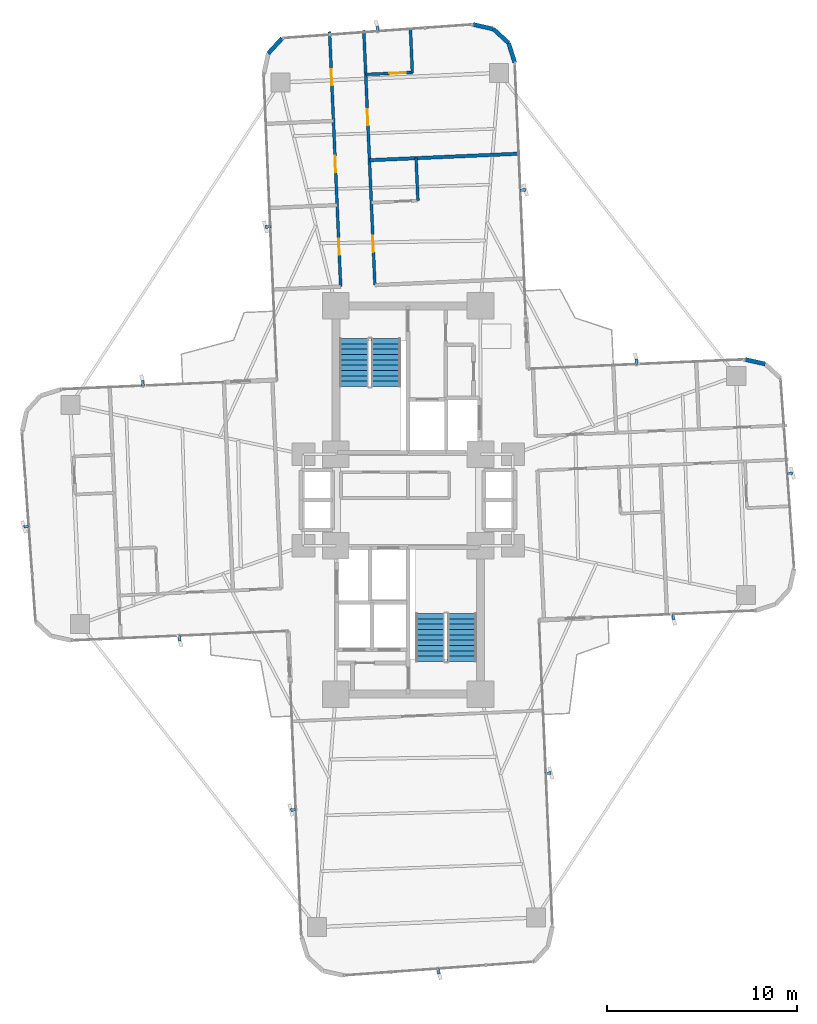
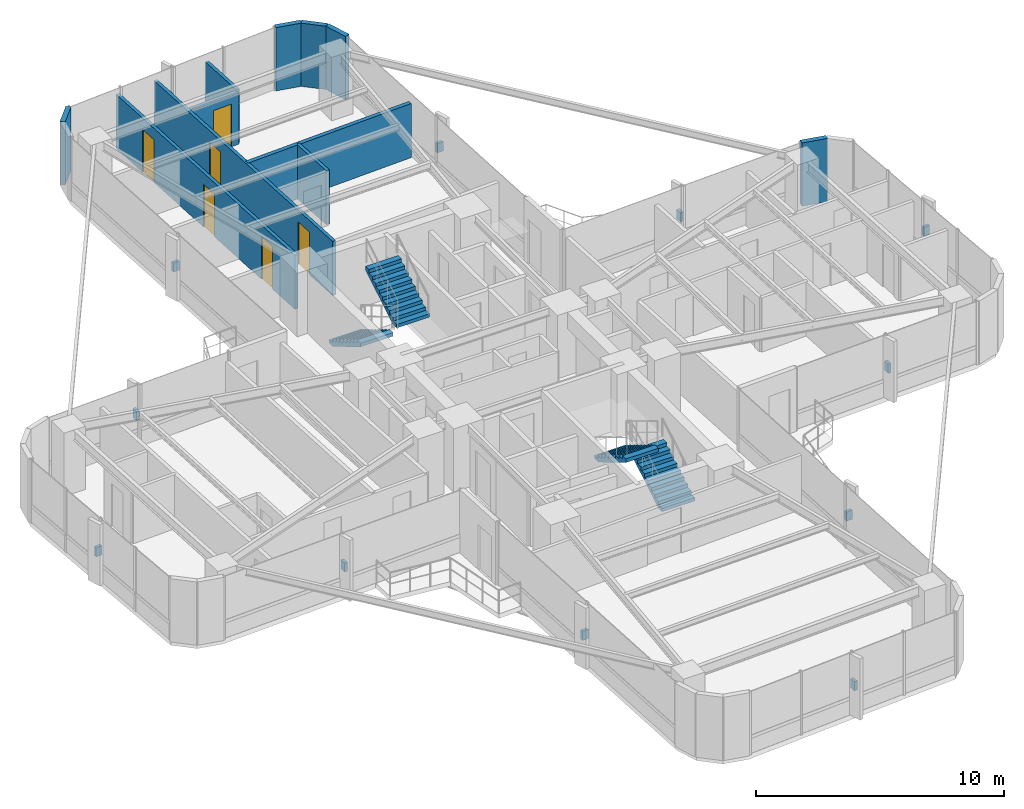
# One storey, part 25 of 26: 12 discrete accessories, 11 walls, 6 doors, 4 stair flights, 6 openings, 2 elements without a shape of their own.
"""IFC4 building model written with IfcOpenShell, lengths in metres."""

from ifc_helpers import new_model, si_unit, direction, frame, frame_2d, origin, origin_2d, place, context, subcontext, project, spatial, polyline, rectangle, outline, extrude, source, transform, mapped, material, layer, layer_set, type_object, element, fill, aggregate, save


model = new_model("IFC4")

# Units and contexts
model_context = context("Model", 3, precision=1e-05, world=origin(), true_north=direction((0.0, 1.0)))
body_context = subcontext(model_context, "Body", "Model", "MODEL_VIEW")
ifc_project = project(units=[si_unit("LENGTHUNIT", "METRE"), si_unit("AREAUNIT", "SQUARE_METRE"), si_unit("VOLUMEUNIT", "CUBIC_METRE"), si_unit("PLANEANGLEUNIT", "RADIAN"), si_unit("MASSUNIT", "GRAM", prefix="KILO")], contexts=[model_context])

# Site, building, storey
site_placement = place(None, origin())
site = spatial("IfcSite", under=ifc_project, at=site_placement, CompositionType="ELEMENT")
building_placement = place(site_placement, origin())
building = spatial("IfcBuilding", under=site, at=building_placement, Name="Sahyath Konkavel Grand Hotel", CompositionType="ELEMENT")
storey_placement = place(building_placement, frame((0.0, 0.0, 83.5)))
storey = spatial("IfcBuildingStorey", under=building, at=storey_placement, Name="L22", CompositionType="ELEMENT", Elevation=83.5)

# Walls
ifc_material_1 = material(Name="Warm Buff Sandstone Insulated Concrete C40/50", Category="masonry")
ifc_layer_1 = layer(ifc_material_1, 0.219970703125)
ifc_layer_set_1 = layer_set([ifc_layer_1], Name="Warm Buff Sandstone Insulated Concrete C40/50")
wall_type_1 = type_object("IfcWallType", Name="WLL-BALC-THRESH", PredefinedType="STANDARD", material=ifc_layer_set_1)
wall_1_placement = place(storey_placement, frame((18.75634765625, 7.1435546875, 0.0), z_axis=(0.0, 0.0, 1.0), x_axis=(-0.976282085775, 0.216502399514, 0.0)))
element("IfcWall", 1, at=wall_1_placement, inside=storey, type_object=wall_type_1, Name="L22 Rounded Corner Sandstone Pier 6", PredefinedType="STANDARD", context=body_context, shape_type="SweptSolid", body=[
    extrude(rectangle(XDim=1.087158203125, YDim=0.219970703125, at=frame_2d((0.54345703125, 0.0))), origin(), (0.0, 0.0, 1.0), 3.110107421875),
])
wall_2_placement = place(storey_placement, frame((5.603515625, 22.96630859375, 0.0), z_axis=(0.0, 0.0, 1.0), x_axis=(-0.300755105707, 0.953701403161, 0.0)))
element("IfcWall", 2, at=wall_2_placement, inside=storey, type_object=wall_type_1, Name="L22 Rounded Corner Sandstone Pier 9", PredefinedType="STANDARD", context=body_context, shape_type="SweptSolid", body=[
    extrude(rectangle(XDim=1.0869140625, YDim=0.219970703125, at=frame_2d((0.54345703125, 0.0))), origin(), (0.0, 0.0, 1.0), 3.110107421875),
])
wall_3_placement = place(storey_placement, frame((5.276611328125, 24.0029296875, 0.0), z_axis=(0.0, 0.0, 1.0), x_axis=(-0.737312600672, 0.675551721847, 0.0)))
element("IfcWall", 3, at=wall_3_placement, inside=storey, type_object=wall_type_1, Name="L22 Rounded Corner Sandstone Pier 10", PredefinedType="STANDARD", context=body_context, shape_type="SweptSolid", body=[
    extrude(rectangle(XDim=1.087158203125, YDim=0.219970703125, at=frame_2d((0.54345703125, 0.0))), origin(), (0.0, 0.0, 1.0), 3.110107421875),
])
for number, where, z_axis, x_axis, name in (
    (4, (4.47509765625, 24.7373046875, 0.0), (0.0, 0.0, 1.0), (-0.976271555154, 0.216549880158, 0.0), "L22 Rounded Corner Sandstone Pier 11"),
    (5, (-6.6142578125, 24.253173828125, 0.0), (0.0, 0.0, 1.0), (-0.675663596772, -0.737210081318, 0.0), "L22 Rounded Corner Sandstone Pier 13"),
):
    element("IfcWall", number, at=place(storey_placement, frame(where, z_axis=z_axis, x_axis=x_axis)), inside=storey, type_object=wall_type_1, Name=name, PredefinedType="STANDARD", context=body_context, shape_type="SweptSolid", body=[
        extrude(rectangle(XDim=1.0869140625, YDim=0.219970703125, at=frame_2d((0.54345703125, 0.0))), origin(), (0.0, 0.0, 1.0), 3.110107421875),
    ])
ifc_material_2 = material(Name="Twin-Stud Acoustic Gypsum Plasterboard Partition")
ifc_layer_2 = layer(ifc_material_2, 0.179931640625)
ifc_layer_set_2 = layer_set([ifc_layer_2], Name="Twin-Stud Acoustic Gypsum Plasterboard Partition")
wall_type_2 = type_object("IfcWallType", Name="WLL-DEMISE-180", PredefinedType="PARTITIONING", material=ifc_layer_set_2)
wall_4_placement = place(storey_placement, frame((-2.0302734375, 17.844482421875, 0.0), z_axis=(0.0, 0.0, 1.0), x_axis=(0.999047634936, 0.043632821702, 0.0)))
element("IfcWall", 6, at=wall_4_placement, inside=storey, type_object=wall_type_2, Name="L22 Partition N-N1R-DEM", PredefinedType="PARTITIONING", context=body_context, shape_type="SweptSolid", body=[
    extrude(rectangle(XDim=7.7998046875, YDim=0.179931640625, at=frame_2d((3.89990234375, 0.0))), origin(), (0.0, 0.0, 1.0), 2.659912109375),
])

# Wall, openings, doors
ifc_material_3 = material(Name="Fire-Rated Gypsum Plasterboard Partition")
ifc_layer_3 = layer(ifc_material_3, 0.14990234375)
ifc_layer_set_3 = layer_set([ifc_layer_3], Name="Fire-Rated Gypsum Plasterboard Partition")
wall_type_3 = type_object("IfcWallType", Name="WLL-PART-150", PredefinedType="PARTITIONING", material=ifc_layer_set_3)
wall_5_placement = place(storey_placement, frame((-3.542236328125, 11.206298828125, 0.0), z_axis=(0.0, 0.0, 1.0), x_axis=(-0.043617493533, 0.999048304267, 0.0)))
wall_5 = element("IfcWall", 7, at=wall_5_placement, inside=storey, type_object=wall_type_3, Name="L22 Partition N-CL", PredefinedType="PARTITIONING", context=body_context, shape_type="SweptSolid", body=[
    extrude(rectangle(XDim=13.39990234375, YDim=0.14990234375, at=frame_2d((6.699951171875, 0.0))), origin(), (0.0, 0.0, 1.0), 2.659912109375),
])
opening_1_placement = place(wall_5_placement, frame((1.6689453125, 0.0, 0.0)))
opening_1 = element("IfcOpeningElement", 8, at=opening_1_placement, cuts=wall_5, Name="Opening D-F06D", PredefinedType="OPENING", context=body_context, shape_type="SweptSolid", body=[
    extrude(rectangle(XDim=0.85009765625, YDim=2.10009765625, at=frame_2d((0.425048828125, 1.050048828125))), frame((0.0, 0.0849609375, 0.0), z_axis=(0.0, -1.0, 0.0), x_axis=(1.0, 0.0, 0.0)), (0.0, 0.0, 1.0), 0.169921875),
])
opening_2_placement = place(wall_5_placement, frame((6.02392578125, 0.0, 0.0)))
opening_2 = element("IfcOpeningElement", 9, at=opening_2_placement, cuts=wall_5, Name="Opening D-F06D", PredefinedType="OPENING", context=body_context, shape_type="SweptSolid", body=[
    extrude(rectangle(XDim=0.85009765625, YDim=2.10009765625, at=frame_2d((0.425048828125, 1.050048828125))), frame((0.0, 0.0849609375, 0.0), z_axis=(0.0, -1.0, 0.0), x_axis=(1.0, 0.0, 0.0)), (0.0, 0.0, 1.0), 0.169921875),
])
opening_3_placement = place(wall_5_placement, frame((10.580078125, 0.0, 0.0)))
opening_3 = element("IfcOpeningElement", 10, at=opening_3_placement, cuts=wall_5, Name="Opening D-F06D", PredefinedType="OPENING", context=body_context, shape_type="SweptSolid", body=[
    extrude(rectangle(XDim=0.85009765625, YDim=2.10009765625, at=frame_2d((0.425048828125, 1.050048828125))), frame((0.0, 0.0849609375, 0.0), z_axis=(0.0, -1.0, 0.0), x_axis=(1.0, 0.0, 0.0)), (0.0, 0.0, 1.0), 0.169921875),
])
ifc_material_4 = material(Name="Fire-Rated Shaft Access Door")
door_type_1 = type_object("IfcDoorType", Name="DR-FD60-850", OperationType="NOTDEFINED", PredefinedType="DOOR", material=ifc_material_4)
shared_shape_1 = source(origin(), body_context, "Body", "SweptSolid", [
    extrude(rectangle(XDim=0.85009765625, YDim=0.050048828125, at=origin_2d()), origin(), (0.0, 0.0, 1.0), 2.10009765625),
])
door_1_placement = place(opening_1_placement, frame((0.425048828125, 0.0, 0.0)))
door_1 = element("IfcDoor", 11, at=door_1_placement, inside=storey, type_object=door_type_1, Name="L22 Door N-N1L-D", OperationType="SINGLE_SWING_LEFT", OverallHeight=2.10009765625, OverallWidth=0.85009765625, PredefinedType="DOOR", context=body_context, shape_type="MappedRepresentation", body=[
    mapped(shared_shape_1, transform((0.0, 0.0, 0.0), scale=1.0)),
])
fill(opening_1, door_1)
door_2_placement = place(opening_2_placement, frame((0.425048828125, 0.0, 0.0)))
door_2 = element("IfcDoor", 12, at=door_2_placement, inside=storey, type_object=door_type_1, Name="L22 Door N-N2L-D", OperationType="SINGLE_SWING_RIGHT", OverallHeight=2.10009765625, OverallWidth=0.85009765625, PredefinedType="DOOR", context=body_context, shape_type="MappedRepresentation", body=[
    mapped(shared_shape_1, transform((0.0, 0.0, 0.0), scale=1.0)),
])
fill(opening_2, door_2)
door_3_placement = place(opening_3_placement, frame((0.425048828125, 0.0, 0.0)))
door_3 = element("IfcDoor", 13, at=door_3_placement, inside=storey, type_object=door_type_1, Name="L22 Door N-N3L-D", OperationType="SINGLE_SWING_LEFT", OverallHeight=2.10009765625, OverallWidth=0.85009765625, PredefinedType="DOOR", context=body_context, shape_type="MappedRepresentation", body=[
    mapped(shared_shape_1, transform((0.0, 0.0, 0.0), scale=1.0)),
])
fill(opening_3, door_3)

wall_6_placement = place(storey_placement, frame((-1.743896484375, 11.28466796875, 0.0), z_axis=(0.0, 0.0, 1.0), x_axis=(-0.043617493533, 0.999048304267, 0.0)))
wall_6 = element("IfcWall", 14, at=wall_6_placement, inside=storey, type_object=wall_type_3, Name="L22 Partition N-CR", PredefinedType="PARTITIONING", context=body_context, shape_type="SweptSolid", body=[
    extrude(rectangle(XDim=13.39990234375, YDim=0.14990234375, at=frame_2d((6.699951171875, 0.0))), origin(), (0.0, 0.0, 1.0), 2.659912109375),
])
opening_4_placement = place(wall_6_placement, frame((1.741943359375, 0.0, 0.0)))
opening_4 = element("IfcOpeningElement", 15, at=opening_4_placement, cuts=wall_6, Name="Opening D-F06D", PredefinedType="OPENING", context=body_context, shape_type="SweptSolid", body=[
    extrude(rectangle(XDim=0.85009765625, YDim=2.10009765625, at=frame_2d((0.425048828125, 1.050048828125))), frame((0.0, 0.0849609375, 0.0), z_axis=(0.0, -1.0, 0.0), x_axis=(1.0, 0.0, 0.0)), (0.0, 0.0, 1.0), 0.169921875),
])
opening_5_placement = place(wall_6_placement, frame((8.39599609375, 0.0, 0.0)))
opening_5 = element("IfcOpeningElement", 16, at=opening_5_placement, cuts=wall_6, Name="Opening D-F06D", PredefinedType="OPENING", context=body_context, shape_type="SweptSolid", body=[
    extrude(rectangle(XDim=0.85009765625, YDim=2.10009765625, at=frame_2d((0.425048828125, 1.050048828125))), frame((0.0, 0.0849609375, 0.0), z_axis=(0.0, -1.0, 0.0), x_axis=(1.0, 0.0, 0.0)), (0.0, 0.0, 1.0), 0.169921875),
])
door_4_placement = place(opening_4_placement, frame((0.425048828125, 0.0, 0.0)))
door_4 = element("IfcDoor", 17, at=door_4_placement, inside=storey, type_object=door_type_1, Name="L22 Door N-N1R-ED", OperationType="SINGLE_SWING_LEFT", OverallHeight=2.10009765625, OverallWidth=0.85009765625, PredefinedType="DOOR", context=body_context, shape_type="MappedRepresentation", body=[
    mapped(shared_shape_1, transform((0.0, 0.0, 0.0), scale=1.0)),
])
fill(opening_4, door_4)
door_5_placement = place(opening_5_placement, frame((0.425048828125, 0.0, 0.0)))
door_5 = element("IfcDoor", 18, at=door_5_placement, inside=storey, type_object=door_type_1, Name="L22 Door N-N2R-ED", OperationType="SINGLE_SWING_LEFT", OverallHeight=2.10009765625, OverallWidth=0.85009765625, PredefinedType="DOOR", context=body_context, shape_type="MappedRepresentation", body=[
    mapped(shared_shape_1, transform((0.0, 0.0, 0.0), scale=1.0)),
])
fill(opening_5, door_5)

# Wall
wall_7_placement = place(storey_placement, frame((0.5146484375, 15.721435546875, 0.0), z_axis=(0.0, 0.0, 1.0), x_axis=(-0.0435321553, 0.999052026401, 0.0)))
element("IfcWall", 19, at=wall_7_placement, inside=storey, type_object=wall_type_3, Name="L22 Partition N-N1R-BF", PredefinedType="PARTITIONING", context=body_context, shape_type="SweptSolid", body=[
    extrude(rectangle(XDim=2.232177734375, YDim=0.14990234375, at=frame_2d((1.1162109375, 0.0))), origin(), (0.0, 0.0, 1.0), 2.659912109375),
])

# Wall, opening, door
wall_8_placement = place(storey_placement, frame((-2.22705078125, 22.35009765625, 0.0), z_axis=(0.0, 0.0, 1.0), x_axis=(0.999047112283, 0.043644787072, 0.0)))
wall_8 = element("IfcWall", 20, at=wall_8_placement, inside=storey, type_object=wall_type_3, Name="L22 Partition N-N2R-BS", PredefinedType="PARTITIONING", context=body_context, shape_type="SweptSolid", body=[
    extrude(rectangle(XDim=2.4501953125, YDim=0.14990234375, at=frame_2d((1.22509765625, 0.0))), origin(), (0.0, 0.0, 1.0), 2.580078125),
])
opening_6_placement = place(wall_8_placement, frame((1.25, 0.0, 0.0)))
opening_6 = element("IfcOpeningElement", 21, at=opening_6_placement, cuts=wall_8, Name="Opening D-BT85", PredefinedType="OPENING", context=body_context, shape_type="SweptSolid", body=[
    extrude(rectangle(XDim=0.85009765625, YDim=2.10009765625, at=frame_2d((0.425048828125, 1.050048828125))), frame((0.0, 0.0849609375, 0.0), z_axis=(0.0, -1.0, 0.0), x_axis=(1.0, 0.0, 0.0)), (0.0, 0.0, 1.0), 0.169921875),
])
ifc_material_5 = material(Name="Moisture-Resistant Teak Bathroom Door")
door_type_2 = type_object("IfcDoorType", Name="DR-BATH-850", OperationType="NOTDEFINED", PredefinedType="DOOR", material=ifc_material_5)
door_6_placement = place(opening_6_placement, frame((0.425048828125, 0.0, 0.0)))
door_6 = element("IfcDoor", 22, at=door_6_placement, inside=storey, type_object=door_type_2, Name="L22 Door N-N2R-BD", OperationType="SINGLE_SWING_RIGHT", OverallHeight=2.10009765625, OverallWidth=0.85009765625, PredefinedType="DOOR", context=body_context, shape_type="MappedRepresentation", body=[
    mapped(shared_shape_1, transform((0.0, 0.0, 0.0), scale=1.0)),
])
fill(opening_6, door_6)

# Wall
wall_9_placement = place(storey_placement, frame((0.220703125, 22.45703125, 0.0), z_axis=(0.0, 0.0, 1.0), x_axis=(-0.043596784584, 0.999049208184, 0.0)))
element("IfcWall", 23, at=wall_9_placement, inside=storey, type_object=wall_type_3, Name="L22 Partition N-N2R-BF", PredefinedType="PARTITIONING", context=body_context, shape_type="SweptSolid", body=[
    extrude(rectangle(XDim=2.323974609375, YDim=0.14990234375, at=frame_2d((1.162109375, 0.0))), origin(), (0.0, 0.0, 1.0), 2.659912109375),
])

# Stair, stair flights
ifc_material_6 = material(Name="Concrete C40/50", Category="concrete")
stair_type = type_object("IfcStairType", Name="STR-ST16-335", PredefinedType="HALF_TURN_STAIR", material=ifc_material_6)
stair_1_placement = place(storey_placement, origin())
stair_1 = element("IfcStair", 24, at=stair_1_placement, inside=storey, type_object=stair_type, Name="L22 North Core Smokeproof Exit Stair ST-1", PredefinedType="HALF_TURN_STAIR")
stair_flight_type = type_object("IfcStairFlightType", Name="STF-ST16-335", PredefinedType="STRAIGHT", material=ifc_material_6)
stair_flight_1_placement = place(storey_placement, frame((-2.840087890625, 8.47998046875, 0.0), z_axis=(0.0, 0.0, 1.0), x_axis=(0.0, -1.0, 0.0)))
stair_flight_1 = element("IfcStairFlight", 25, at=stair_flight_1_placement, type_object=stair_flight_type, Name="ST-1 flight 1", NumberOfRisers=10, NumberOfTreads=9, PredefinedType="STRAIGHT", RiserHeight=0.1675, TreadLength=0.28, context=body_context, shape_type="SweptSolid", body=[
    extrude(outline(polyline([(0.0, 0.0), (0.0, 0.16748046875), (0.280029296875, 0.16748046875), (0.280029296875, 0.3349609375), (0.56005859375, 0.3349609375), (0.56005859375, 0.50244140625), (0.840087890625, 0.50244140625), (0.840087890625, 0.669921875), (1.1201171875, 0.669921875), (1.1201171875, 0.83740234375), (1.39990234375, 0.83740234375), (1.39990234375, 1.0048828125), (1.679931640625, 1.0048828125), (1.679931640625, 1.172607421875), (1.9599609375, 1.172607421875), (1.9599609375, 1.340087890625), (2.239990234375, 1.340087890625), (2.239990234375, 1.507568359375), (2.52001953125, 1.507568359375), (2.52001953125, 1.675048828125), (2.52001953125, 1.332763671875), (0.2919921875, 0.0), (0.0, 0.0)])), frame((0.0, 0.760009765625, 0.0), z_axis=(0.0, -1.0, 0.0), x_axis=(1.0, 0.0, 0.0)), (0.0, 0.0, 1.0), 1.52001953125),
])
stair_flight_2_placement = place(storey_placement, frame((-1.159912109375, 5.9599609375, 1.675048828125), z_axis=(0.0, 0.0, 1.0), x_axis=(0.0, 1.0, 0.0)))
stair_flight_2 = element("IfcStairFlight", 26, at=stair_flight_2_placement, type_object=stair_flight_type, Name="ST-1 flight 2", NumberOfRisers=10, NumberOfTreads=9, PredefinedType="STRAIGHT", RiserHeight=0.1675, TreadLength=0.28, context=body_context, shape_type="SweptSolid", body=[
    extrude(outline(polyline([(0.0, 0.0), (0.0, 0.16748046875), (0.280029296875, 0.16748046875), (0.280029296875, 0.3349609375), (0.56005859375, 0.3349609375), (0.56005859375, 0.50244140625), (0.840087890625, 0.50244140625), (0.840087890625, 0.669921875), (1.1201171875, 0.669921875), (1.1201171875, 0.83740234375), (1.39990234375, 0.83740234375), (1.39990234375, 1.0048828125), (1.679931640625, 1.0048828125), (1.679931640625, 1.172607421875), (1.9599609375, 1.172607421875), (1.9599609375, 1.340087890625), (2.239990234375, 1.340087890625), (2.239990234375, 1.507568359375), (2.52001953125, 1.507568359375), (2.52001953125, 1.675048828125), (2.52001953125, 1.332763671875), (0.2919921875, 0.0), (0.0, 0.0)])), frame((0.0, 0.760009765625, 0.0), z_axis=(0.0, -1.0, 0.0), x_axis=(1.0, 0.0, 0.0)), (0.0, 0.0, 1.0), 1.52001953125),
])
aggregate(stair_1, [stair_flight_1, stair_flight_2])

stair_2_placement = place(storey_placement, origin())
stair_2 = element("IfcStair", 27, at=stair_2_placement, inside=storey, type_object=stair_type, Name="L22 South Core Smokeproof Exit Stair ST-2", PredefinedType="HALF_TURN_STAIR")
stair_flight_3_placement = place(storey_placement, frame((2.840087890625, -8.47998046875, 0.0), z_axis=(0.0, 0.0, 1.0), x_axis=(0.0, 1.0, 0.0)))
stair_flight_3 = element("IfcStairFlight", 28, at=stair_flight_3_placement, type_object=stair_flight_type, Name="ST-2 flight 1", NumberOfRisers=10, NumberOfTreads=9, PredefinedType="STRAIGHT", RiserHeight=0.1675, TreadLength=0.28, context=body_context, shape_type="SweptSolid", body=[
    extrude(outline(polyline([(0.0, 0.0), (0.0, 0.16748046875), (0.280029296875, 0.16748046875), (0.280029296875, 0.3349609375), (0.56005859375, 0.3349609375), (0.56005859375, 0.50244140625), (0.840087890625, 0.50244140625), (0.840087890625, 0.669921875), (1.1201171875, 0.669921875), (1.1201171875, 0.83740234375), (1.39990234375, 0.83740234375), (1.39990234375, 1.0048828125), (1.679931640625, 1.0048828125), (1.679931640625, 1.172607421875), (1.9599609375, 1.172607421875), (1.9599609375, 1.340087890625), (2.239990234375, 1.340087890625), (2.239990234375, 1.507568359375), (2.52001953125, 1.507568359375), (2.52001953125, 1.675048828125), (2.52001953125, 1.332763671875), (0.2919921875, 0.0), (0.0, 0.0)])), frame((0.0, 0.760009765625, 0.0), z_axis=(0.0, -1.0, 0.0), x_axis=(1.0, 0.0, 0.0)), (0.0, 0.0, 1.0), 1.52001953125),
])
stair_flight_4_placement = place(storey_placement, frame((1.159912109375, -5.9599609375, 1.675048828125), z_axis=(0.0, 0.0, 1.0), x_axis=(0.0, -1.0, 0.0)))
stair_flight_4 = element("IfcStairFlight", 29, at=stair_flight_4_placement, type_object=stair_flight_type, Name="ST-2 flight 2", NumberOfRisers=10, NumberOfTreads=9, PredefinedType="STRAIGHT", RiserHeight=0.1675, TreadLength=0.28, context=body_context, shape_type="SweptSolid", body=[
    extrude(outline(polyline([(0.0, 0.0), (0.0, 0.16748046875), (0.280029296875, 0.16748046875), (0.280029296875, 0.3349609375), (0.56005859375, 0.3349609375), (0.56005859375, 0.50244140625), (0.840087890625, 0.50244140625), (0.840087890625, 0.669921875), (1.1201171875, 0.669921875), (1.1201171875, 0.83740234375), (1.39990234375, 0.83740234375), (1.39990234375, 1.0048828125), (1.679931640625, 1.0048828125), (1.679931640625, 1.172607421875), (1.9599609375, 1.172607421875), (1.9599609375, 1.340087890625), (2.239990234375, 1.340087890625), (2.239990234375, 1.507568359375), (2.52001953125, 1.507568359375), (2.52001953125, 1.675048828125), (2.52001953125, 1.332763671875), (0.2919921875, 0.0), (0.0, 0.0)])), frame((0.0, 0.760009765625, 0.0), z_axis=(0.0, -1.0, 0.0), x_axis=(1.0, 0.0, 0.0)), (0.0, 0.0, 1.0), 1.52001953125),
])
aggregate(stair_2, [stair_flight_3, stair_flight_4])

# Discrete accessories
ifc_material_7 = material(Name="Steel E350", Category="steel")
discrete_accessory_type = type_object("IfcDiscreteAccessoryType", Name="ACC-FIN-BRACKET", PredefinedType="BRACKET", material=ifc_material_7)
shared_shape_2 = source(origin(), body_context, "Body", "SweptSolid", [
    extrude(rectangle(XDim=0.280029296875, YDim=0.139892578125, at=origin_2d()), origin(), (0.0, 0.0, 1.0), 0.449951171875),
])
for number, where, z_axis, x_axis, name in (
    (30, (13.9306640625, -6.128173828125, 1.330078125), (0.0, 0.0, 1.0), (0.043601950678, -0.999048982732, 0.0), "L22 Fin Support Bracket F0-1"),
    (31, (20.047119140625, 1.404296875, 1.330078125), (0.0, 0.0, 1.0), (0.997435789037, 0.071567078661, 0.0), "L22 Fin Support Bracket F4-2"),
    (32, (11.99462890625, 7.26025390625, 1.330078125), (0.0, 0.0, 1.0), (-0.043619387365, 0.999048221582, 0.0), "L22 Fin Support Bracket F7-1"),
    (33, (6.025634765625, 16.2783203125, 1.330078125), (0.0, 0.0, 1.0), (0.999048221582, 0.043619387365, 0.0), "L22 Fin Support Bracket F8-1"),
    (34, (-1.609375, 24.74267578125, 1.330078125), (0.0, 0.0, 1.0), (-0.071567078661, 0.997435789037, 0.0), "L22 Fin Support Bracket F12-2"),
    (35, (-7.362548828125, 14.342529296875, 1.330078125), (0.0, 0.0, 1.0), (-0.999048221582, -0.043619387365, 0.0), "L22 Fin Support Bracket F15-1"),
    (36, (-13.9306640625, 6.128173828125, 1.330078125), (0.0, 0.0, 1.0), (-0.043601950678, 0.999048982732, 0.0), "L22 Fin Support Bracket F16-1"),
    (37, (-20.047119140625, -1.404296875, 1.330078125), (0.0, 0.0, 1.0), (-0.997435789037, -0.071567078661, 0.0), "L22 Fin Support Bracket F20-2"),
    (38, (-11.99462890625, -7.26025390625, 1.330078125), (0.0, 0.0, 1.0), (0.043619387365, -0.999048221582, 0.0), "L22 Fin Support Bracket F23-1"),
    (39, (-6.025634765625, -16.2783203125, 1.330078125), (0.0, 0.0, 1.0), (-0.999048221582, -0.043619387365, 0.0), "L22 Fin Support Bracket F24-1"),
    (40, (1.609375, -24.74267578125, 1.330078125), (0.0, 0.0, 1.0), (0.071567078661, -0.997435789037, 0.0), "L22 Fin Support Bracket F28-2"),
    (41, (7.362548828125, -14.342529296875, 1.330078125), (0.0, 0.0, 1.0), (0.999048221582, 0.043619387365, 0.0), "L22 Fin Support Bracket F31-1"),
):
    element("IfcDiscreteAccessory", number, at=place(storey_placement, frame(where, z_axis=z_axis, x_axis=x_axis)), inside=storey, type_object=discrete_accessory_type, Name=name, PredefinedType="BRACKET", context=body_context, shape_type="MappedRepresentation", body=[
        mapped(shared_shape_2, transform((0.0, 0.0, 0.0), scale=1.0)),
    ])

save(model, "model.ifc")
